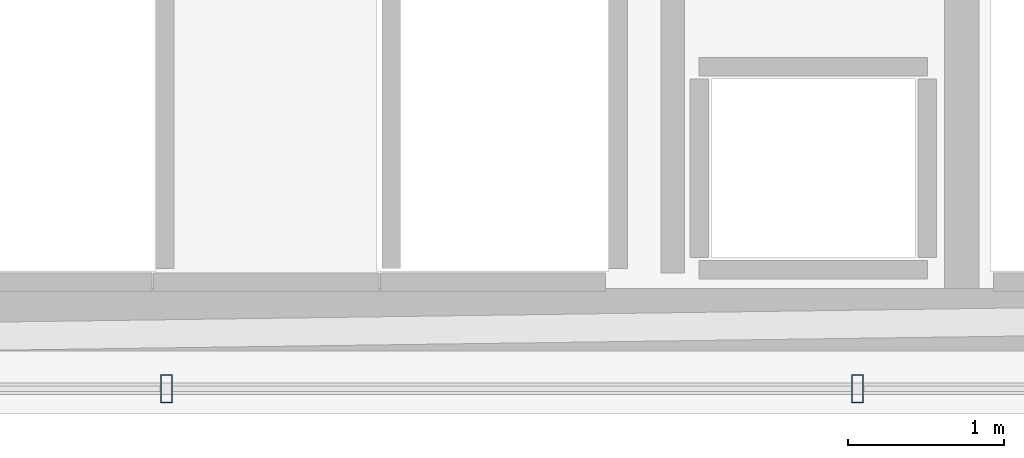
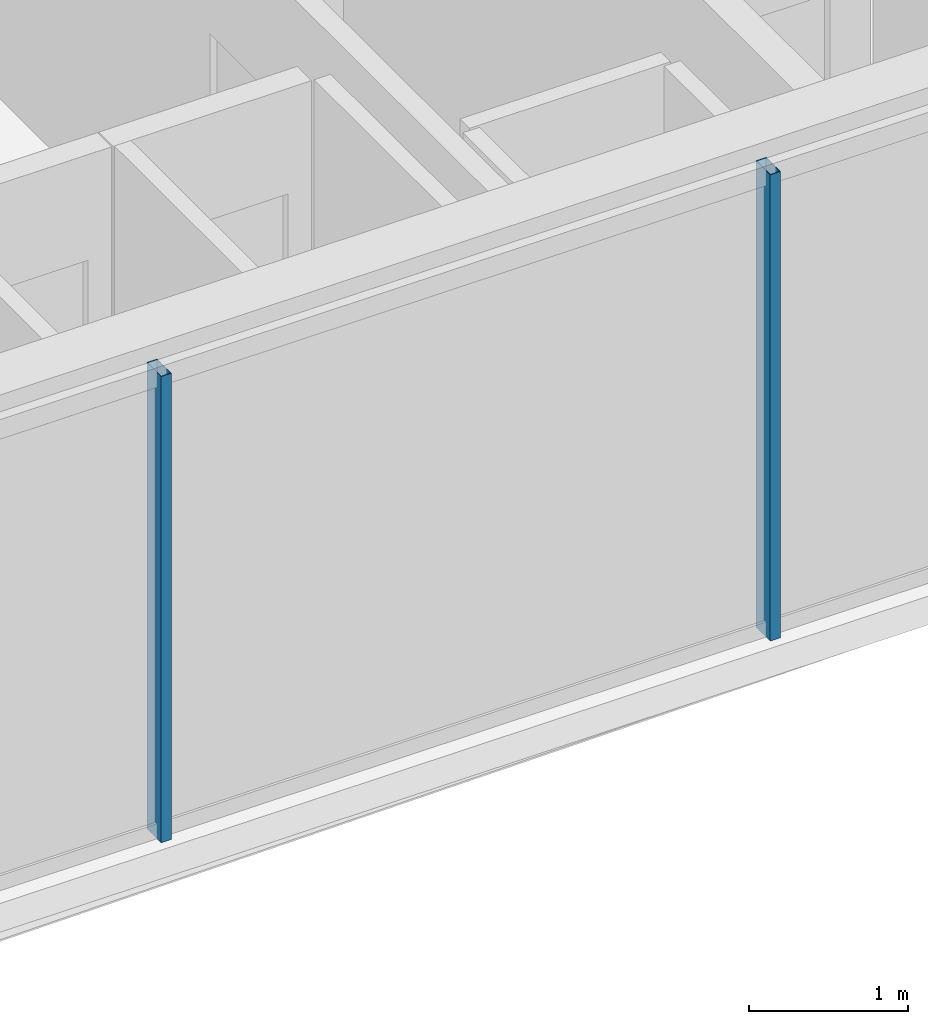
# One storey, part 10 of 34: 2 members, 1 element without a shape of its own.
"""IFC4 building model written with IfcOpenShell, lengths in metres."""

from ifc_helpers import new_model, si_unit, direction, frame, origin, origin_2d, place, context, subcontext, project, spatial, hollow_rectangle, extrude, material, layer, layer_set, material_profile, profile_set, type_object, element, aggregate, save


model = new_model("IFC4")

# Units and contexts
model_context = context("Model", 3, precision=1e-05, world=origin(), true_north=direction((0.0, 1.0)))
body_context = subcontext(model_context, "Body", "Model", "MODEL_VIEW")
ifc_project = project(units=[si_unit("LENGTHUNIT", "METRE"), si_unit("AREAUNIT", "SQUARE_METRE"), si_unit("VOLUMEUNIT", "CUBIC_METRE"), si_unit("PLANEANGLEUNIT", "RADIAN"), si_unit("MASSUNIT", "GRAM", prefix="KILO")], contexts=[model_context])

# Site, building, storey
site_placement = place(None, origin())
site = spatial("IfcSite", under=ifc_project, at=site_placement, CompositionType="ELEMENT")
building_placement = place(site_placement, origin())
building = spatial("IfcBuilding", under=site, at=building_placement, Name="Ndaravel Arena Tower", CompositionType="ELEMENT")
storey_placement = place(building_placement, frame((0.0, 0.0, 263.60009765625)))
storey = spatial("IfcBuildingStorey", under=building, at=storey_placement, Name="L64", CompositionType="ELEMENT", Elevation=263.60009765625)

# Curtain wall, members
ifc_material_1 = material(Name="Aluminium", Category="aluminium")
ifc_layer = layer(ifc_material_1, 0.179931640625)
ifc_layer_set = layer_set([ifc_layer], Name="Aluminium")
curtain_wall_type = type_object("IfcCurtainWallType", Name="CW-SYS-03", PredefinedType="NOTDEFINED", material=ifc_layer_set)
curtain_wall_placement = place(storey_placement, origin())
curtain_wall = element("IfcCurtainWall", 1, at=curtain_wall_placement, inside=storey, type_object=curtain_wall_type, Name="L64 Faceted Crystal Curtain Wall CW-L64-E01", PredefinedType="NOTDEFINED")
ifc_material_2 = material(Name="Aluminium", Category="aluminium")
ifc_material_profile = material_profile(ifc_material_2, hollow_rectangle(XDim=0.074951171875, YDim=0.179931640625, WallThickness=0.00390625, at=origin_2d()), Name="CW MULLION 75x180x4")
ifc_profile_set = profile_set([ifc_material_profile], Name="Aluminium")
member_type = type_object("IfcMemberType", Name="MEM-CW-MUL180", PredefinedType="MULLION", material=ifc_profile_set)
member_1_placement = place(storey_placement, frame((44.211181640625, 5.159912109375, 0.0), z_axis=(0.0, 0.0, 1.0), x_axis=(1.0, 0.0, 0.0)))
member_1 = element("IfcMember", 2, at=member_1_placement, type_object=member_type, Name="CW-L64-E01 Mullion 05", PredefinedType="MULLION", context=body_context, shape_type="SweptSolid", body=[
    extrude(hollow_rectangle(XDim=0.074951171875, YDim=0.179931640625, WallThickness=0.00390625, at=origin_2d()), origin(), (0.0, 0.0, 1.0), 3.579833984375),
])
member_2_placement = place(storey_placement, frame((48.6337890625, 5.159912109375, 0.0), z_axis=(0.0, 0.0, 1.0), x_axis=(1.0, 0.0, 0.0)))
member_2 = element("IfcMember", 3, at=member_2_placement, type_object=member_type, Name="CW-L64-E01 Mullion 06", PredefinedType="MULLION", context=body_context, shape_type="SweptSolid", body=[
    extrude(hollow_rectangle(XDim=0.074951171875, YDim=0.179931640625, WallThickness=0.00390625, at=origin_2d()), origin(), (0.0, 0.0, 1.0), 3.579833984375),
])
aggregate(curtain_wall, [member_1, member_2])

save(model, "model.ifc")
